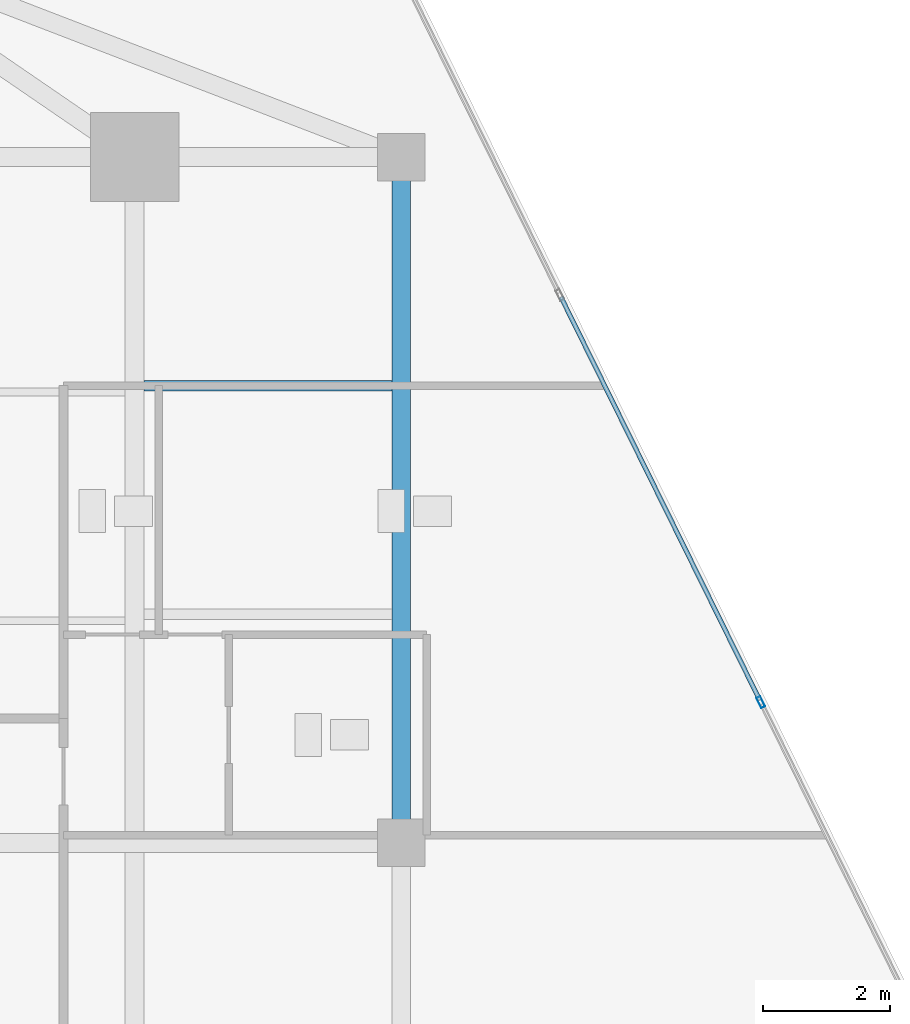
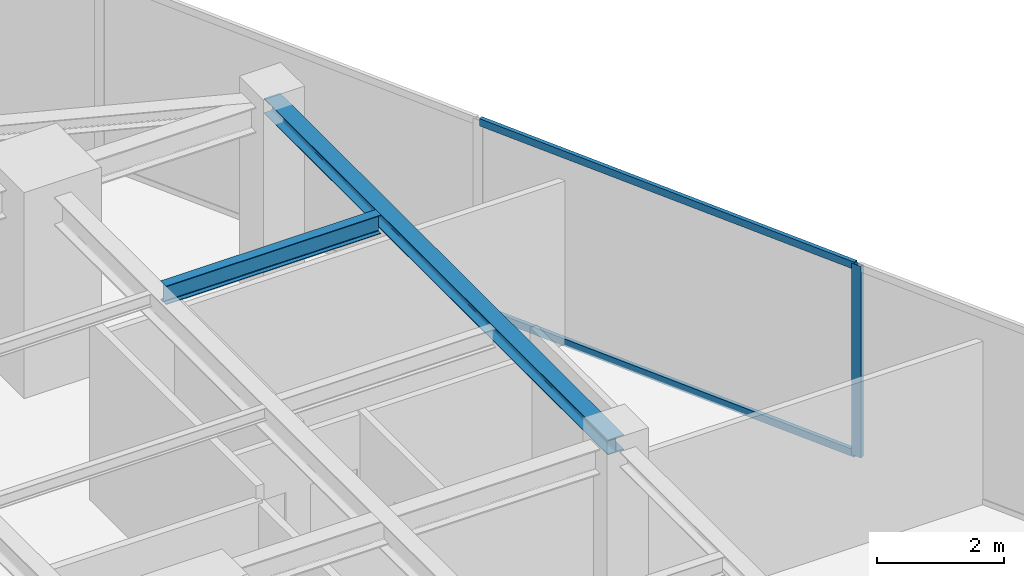
# One storey, part 11 of 22: 3 members, 2 beams, 1 element without a shape of its own.
"""IFC4 building model written with IfcOpenShell, lengths in metres."""

from ifc_helpers import new_model, si_unit, direction, frame, origin, origin_2d, place, context, subcontext, project, spatial, hollow_rectangle, i_section, extrude, source, transform, mapped, material, material_profile, profile_set, type_object, type_shapes, element, aggregate, save


model = new_model("IFC4")

# Units and contexts
model_context = context("Model", 3, precision=1e-05, world=origin(), true_north=direction((0.0, 1.0)))
body_context = subcontext(model_context, "Body", "Model", "MODEL_VIEW")
ifc_project = project(units=[si_unit("LENGTHUNIT", "METRE"), si_unit("AREAUNIT", "SQUARE_METRE"), si_unit("VOLUMEUNIT", "CUBIC_METRE"), si_unit("PLANEANGLEUNIT", "RADIAN"), si_unit("MASSUNIT", "GRAM", prefix="KILO")], contexts=[model_context])

# Site, building, storey
site_placement = place(None, origin())
site = spatial("IfcSite", under=ifc_project, at=site_placement, CompositionType="ELEMENT")
building_placement = place(site_placement, origin())
building = spatial("IfcBuilding", under=site, at=building_placement, Name="Krantzveldt Concourse Tower", CompositionType="ELEMENT")
storey_placement = place(building_placement, frame((0.0, 0.0, 310.85009765625)))
storey = spatial("IfcBuildingStorey", under=building, at=storey_placement, Name="L76", CompositionType="ELEMENT", Elevation=310.85009765625)

# Beams
ifc_material_1 = material(Name="Steel S355JR", Category="steel")
ifc_material_profile_1 = material_profile(ifc_material_1, i_section(OverallWidth=0.2900390625, OverallDepth=0.2900390625, WebThickness=0.008544921875, FlangeThickness=0.013916015625, FilletRadius=0.027099609375, at=origin_2d()), Name="Steel S355JR", Category="steel")
ifc_profile_set_1 = profile_set([ifc_material_profile_1], Name="Steel S355JR - HEA 300")
beam_type_1 = type_object("IfcBeamType", Name="BM-SP-HEA300", PredefinedType="SPANDREL", material=ifc_profile_set_1)
shared_shape_1 = source(origin(), body_context, "Body", "SweptSolid", [
    extrude(i_section(OverallWidth=0.2900390625, OverallDepth=0.2900390625, WebThickness=0.008544921875, FlangeThickness=0.013916015625, FilletRadius=0.027099609375, at=origin_2d()), origin(), (0.0, 0.0, 1.0), 10.800048828125),
])
type_shapes(beam_type_1, [shared_shape_1])
beam_1_placement = place(storey_placement, frame((51.0, 37.5, 3.52490234375), z_axis=(0.0, -1.0, 0.0), x_axis=(1.0, 0.0, 0.0)))
element("IfcBeam", 1, at=beam_1_placement, inside=storey, type_object=beam_type_1, Name="L76 Tower Girder SP-R06", PredefinedType="SPANDREL", context=body_context, shape_type="MappedRepresentation", body=[
    mapped(shared_shape_1, transform((0.0, 0.0, 0.0), x_axis=(1.0, 0.0, 0.0), y_axis=(0.0, 1.0, 0.0), z_axis=(0.0, 0.0, 1.0), scale=1.0)),
])
ifc_material_profile_2 = material_profile(ifc_material_1, i_section(OverallWidth=0.169921875, OverallDepth=0.360107421875, WebThickness=0.008056640625, FlangeThickness=0.0126953125, FilletRadius=0.01806640625, at=origin_2d()), Name="Steel S355JR", Category="steel")
ifc_profile_set_2 = profile_set([ifc_material_profile_2], Name="Steel S355JR - IPE 360")
beam_type_2 = type_object("IfcBeamType", Name="BM-J-IPE360", PredefinedType="JOIST", material=ifc_profile_set_2)
shared_shape_2 = source(origin(), body_context, "Body", "SweptSolid", [
    extrude(i_section(OverallWidth=0.169921875, OverallDepth=0.360107421875, WebThickness=0.008056640625, FlangeThickness=0.0126953125, FilletRadius=0.01806640625, at=origin_2d()), origin(), (0.0, 0.0, 1.0), 3.900146484375),
])
type_shapes(beam_type_2, [shared_shape_2])
beam_2_placement = place(storey_placement, frame((46.949951171875, 33.89990234375, 3.489990234375), z_axis=(1.0, 0.0, 0.0), x_axis=(0.0, 1.0, 0.0)))
element("IfcBeam", 2, at=beam_2_placement, inside=storey, type_object=beam_type_2, Name="L76 Secondary Floor Joist JE-4", PredefinedType="JOIST", context=body_context, shape_type="MappedRepresentation", body=[
    mapped(shared_shape_2, transform((0.0, 0.0, 0.0), x_axis=(1.0, 0.0, 0.0), y_axis=(0.0, 1.0, 0.0), z_axis=(0.0, 0.0, 1.0), scale=1.0)),
])

# Curtain wall, members
ifc_material_2 = material(Name="Anodised aluminium 6063-T6", Category="aluminium")
curtain_wall_type = type_object("IfcCurtainWallType", Name="CW4", PredefinedType="USERDEFINED", material=ifc_material_2)
curtain_wall_placement = place(storey_placement, origin())
curtain_wall = element("IfcCurtainWall", 3, at=curtain_wall_placement, inside=storey, type_object=curtain_wall_type, Name="CW-L76-F10", ObjectType="UNITISED CURTAIN WALL", PredefinedType="USERDEFINED")
ifc_material_profile_3 = material_profile(ifc_material_2, hollow_rectangle(XDim=0.070068359375, YDim=0.179931640625, WallThickness=0.0048828125, at=origin_2d()), Name="Anodised aluminium 6063-T6", Category="aluminium")
ifc_profile_set_3 = profile_set([ifc_material_profile_3], Name="Anodised aluminium 6063-T6 - ALU-MULL 180x70x5")
member_type_1 = type_object("IfcMemberType", Name="CW-MUL-180", PredefinedType="MULLION", material=ifc_profile_set_3)
shared_shape_3 = source(origin(), body_context, "Body", "SweptSolid", [
    extrude(hollow_rectangle(XDim=0.070068359375, YDim=0.179931640625, WallThickness=0.0048828125, at=origin_2d()), origin(), (0.0, 0.0, 1.0), 3.669921875),
])
type_shapes(member_type_1, [shared_shape_3])
member_1_placement = place(storey_placement, frame((56.660400390625, 28.91650390625, 0.0), z_axis=(0.0, 0.0, 1.0), x_axis=(-0.896872829457, -0.442288511927, 0.0)))
member_1 = element("IfcMember", 4, at=member_1_placement, type_object=member_type_1, Name="CW-Z56 mullion 2", PredefinedType="MULLION", context=body_context, shape_type="MappedRepresentation", body=[
    mapped(shared_shape_3, transform((0.0, 0.0, 0.0), x_axis=(1.0, 0.0, 0.0), y_axis=(0.0, 1.0, 0.0), z_axis=(0.0, 0.0, 1.0), scale=1.0)),
])
ifc_material_profile_4 = material_profile(ifc_material_2, hollow_rectangle(XDim=0.070068359375, YDim=0.139892578125, WallThickness=0.0048828125, at=origin_2d()), Name="Anodised aluminium 6063-T6", Category="aluminium")
ifc_profile_set_4 = profile_set([ifc_material_profile_4], Name="Anodised aluminium 6063-T6 - ALU-TRAN 140x70x5")
member_type_2 = type_object("IfcMemberType", Name="CW-TRN-150", PredefinedType="USERDEFINED", material=ifc_profile_set_4)
shared_shape_4 = source(origin(), body_context, "Body", "SweptSolid", [
    extrude(hollow_rectangle(XDim=0.070068359375, YDim=0.139892578125, WallThickness=0.0048828125, at=origin_2d()), origin(), (0.0, 0.0, 1.0), 7.080078125),
])
type_shapes(member_type_2, [shared_shape_4])
member_2_placement = place(storey_placement, frame((56.644775390625, 28.94775390625, 0.034912109375), z_axis=(-0.442282604958, 0.896875742426, 0.0), x_axis=(-0.896875742426, -0.442282604958, 0.0)))
member_2 = element("IfcMember", 5, at=member_2_placement, type_object=member_type_2, Name="CW-Z56 transom 2.1", ObjectType="TRANSOM", PredefinedType="USERDEFINED", context=body_context, shape_type="MappedRepresentation", body=[
    mapped(shared_shape_4, transform((0.0, 0.0, 0.0), x_axis=(1.0, 0.0, 0.0), y_axis=(0.0, 1.0, 0.0), z_axis=(0.0, 0.0, 1.0), scale=1.0)),
])
member_3_placement = place(storey_placement, frame((56.644775390625, 28.94775390625, 3.635009765625), z_axis=(-0.442282604958, 0.896875742426, 0.0), x_axis=(-0.896875742426, -0.442282604958, 0.0)))
member_3 = element("IfcMember", 6, at=member_3_placement, type_object=member_type_2, Name="CW-Z56 transom 2.2", ObjectType="TRANSOM", PredefinedType="USERDEFINED", context=body_context, shape_type="MappedRepresentation", body=[
    mapped(shared_shape_4, transform((0.0, 0.0, 0.0), x_axis=(1.0, 0.0, 0.0), y_axis=(0.0, 1.0, 0.0), z_axis=(0.0, 0.0, 1.0), scale=1.0)),
])
aggregate(curtain_wall, [member_1, member_2, member_3])

save(model, "model.ifc")
